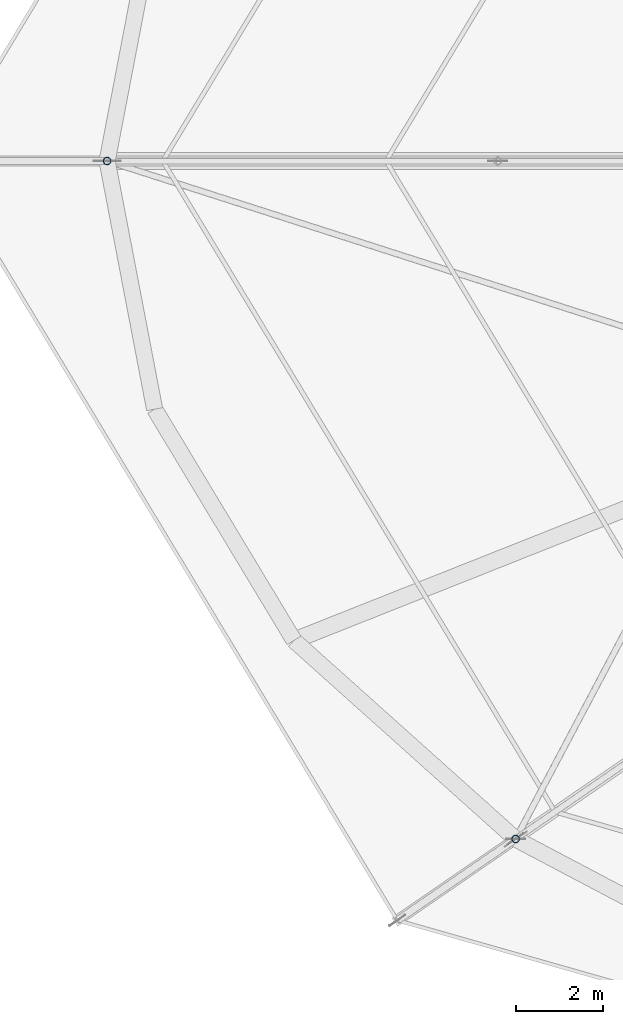
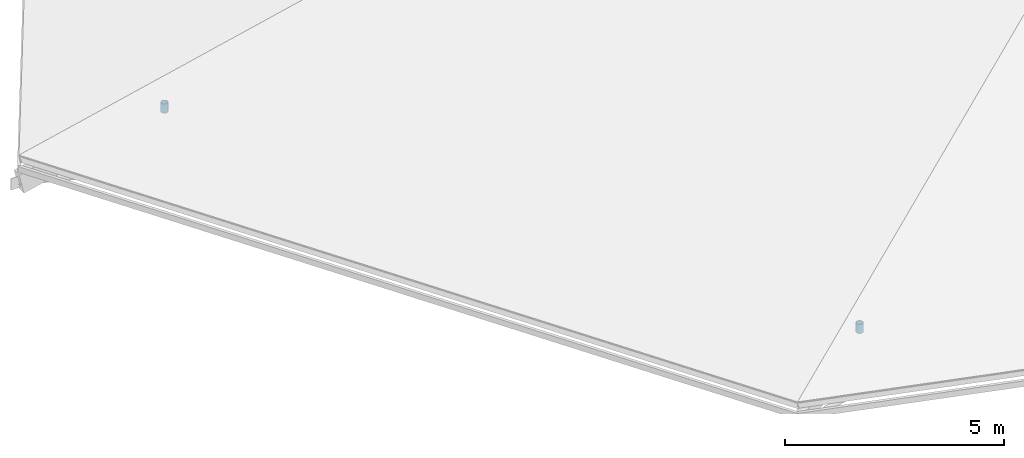
# One storey, part 40 of 66: 2 members.
"""IFC4 building model written with IfcOpenShell, lengths in metres."""

from ifc_helpers import new_model, si_unit, direction, frame, origin, origin_2d, place, context, subcontext, project, spatial, hollow_circle, extrude, material, material_profile, profile_set, type_object, element, save


model = new_model("IFC4")

# Units and contexts
model_context = context("Model", 3, precision=1e-05, world=origin(), true_north=direction((0.0, 1.0)))
body_context = subcontext(model_context, "Body", "Model", "MODEL_VIEW")
ifc_project = project(units=[si_unit("LENGTHUNIT", "METRE"), si_unit("AREAUNIT", "SQUARE_METRE"), si_unit("VOLUMEUNIT", "CUBIC_METRE"), si_unit("PLANEANGLEUNIT", "RADIAN"), si_unit("MASSUNIT", "GRAM", prefix="KILO")], contexts=[model_context])

# Site, building, storey
site_placement = place(None, origin())
site = spatial("IfcSite", under=ifc_project, at=site_placement, CompositionType="ELEMENT")
building_placement = place(site_placement, origin())
building = spatial("IfcBuilding", under=site, at=building_placement, Name="Zornivar Specialist Clinic", CompositionType="ELEMENT")
storey_placement = place(building_placement, frame((0.0, 0.0, 16.0)))
storey = spatial("IfcBuildingStorey", under=building, at=storey_placement, Name="L04", CompositionType="ELEMENT", Elevation=16.0)

# Members
ifc_material = material(Name="Steel S355J2", Category="steel")
ifc_material_profile = material_profile(ifc_material, hollow_circle(Radius=0.0888671875, WallThickness=0.010009765625, at=origin_2d()), Name="CHS 177.8x10")
ifc_profile_set = profile_set([ifc_material_profile], Name="Steel S355J2")
member_type = type_object("IfcMemberType", Name="MEM-STRUT-CHS178", PredefinedType="STRUT", material=ifc_profile_set)
for number, where, z_axis, x_axis, name in (
    (1, (61.60009765625, 57.60009765625, -0.080078125), (0.0, 0.0, 1.0), (1.0, 0.0, 0.0), "mem:V1:L04:post:out:4"),
    (2, (70.972900390625, 42.0439453125, -0.080078125), (0.0, 0.0, 1.0), (1.0, 0.0, 0.0), "mem:V1:L04:post:out:5"),
):
    element("IfcMember", number, at=place(storey_placement, frame(where, z_axis=z_axis, x_axis=x_axis)), inside=storey, type_object=member_type, Name=name, PredefinedType="STRUT", context=body_context, shape_type="SweptSolid", body=[
        extrude(hollow_circle(Radius=0.0888671875, WallThickness=0.010009765625, at=origin_2d()), origin(), (0.0, 0.0, 1.0), 0.257080078125),
    ])

save(model, "model.ifc")
